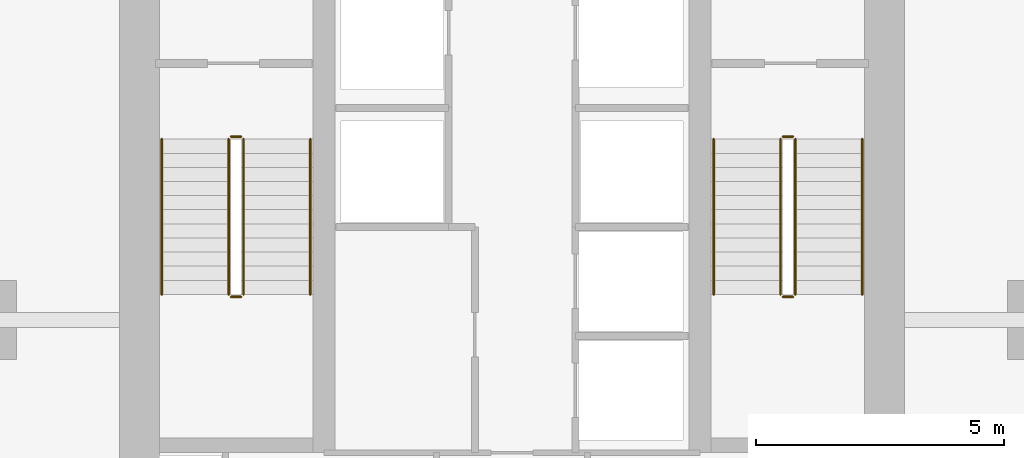
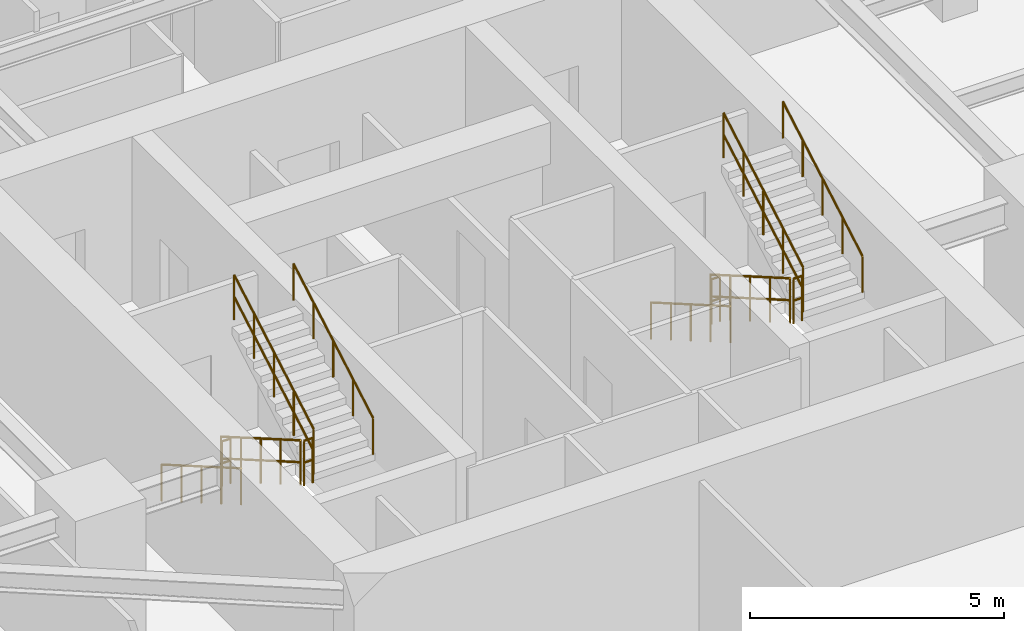
# One storey, part 23 of 24: 12 railings.
"""IFC4 building model written with IfcOpenShell, lengths in metres."""

from ifc_helpers import new_model, si_unit, direction, frame, origin, origin_2d, place, context, subcontext, project, spatial, circle, extrude, material, layer, layer_set, type_object, element, save


model = new_model("IFC4")

# Units and contexts
model_context = context("Model", 3, precision=1e-05, world=origin(), true_north=direction((0.0, 1.0)))
body_context = subcontext(model_context, "Body", "Model", "MODEL_VIEW")
ifc_project = project(units=[si_unit("LENGTHUNIT", "METRE"), si_unit("AREAUNIT", "SQUARE_METRE"), si_unit("VOLUMEUNIT", "CUBIC_METRE"), si_unit("PLANEANGLEUNIT", "RADIAN"), si_unit("MASSUNIT", "GRAM", prefix="KILO")], contexts=[model_context])

# Site, building, storey
site_placement = place(None, origin())
site = spatial("IfcSite", under=ifc_project, at=site_placement, CompositionType="ELEMENT")
building_placement = place(site_placement, origin())
building = spatial("IfcBuilding", under=site, at=building_placement, Name="Krantzveldt Concourse Tower", CompositionType="ELEMENT")
storey_placement = place(building_placement, frame((0.0, 0.0, 234.949951171875)))
storey = spatial("IfcBuildingStorey", under=building, at=storey_placement, Name="L57", CompositionType="ELEMENT", Elevation=234.949951171875)

# Railings
ifc_material = material(Name="Stainless steel 316L", Category="steel")
ifc_layer_1 = layer(ifc_material, 0.06005859375, Name="Stainless steel 316L", Category="steel")
ifc_layer_set_1 = layer_set([ifc_layer_1], Name="Stainless steel 316L (RL-GUARD-1120)")
railing_type_1 = type_object("IfcRailingType", Name="RL-GUARD-1120", PredefinedType="GUARDRAIL", material=ifc_layer_set_1)
railing_1_placement = place(storey_placement, frame((30.280029296875, 19.550048828125, 0.16455078125)))
element("IfcRailing", 1, at=railing_1_placement, inside=storey, type_object=railing_type_1, Name="L57 ST-1 stair guard 1", PredefinedType="GUARDRAIL", context=body_context, shape_type="SweptSolid", body=[
    extrude(circle(Radius=0.02392578125, at=origin_2d()), frame((0.0, 0.0, 1.076171875), z_axis=(0.0, -0.865959834175, 0.500113552702), x_axis=(1.0, 0.0, 0.0)), (0.0, 0.0, 1.0), 3.620361328125),
    extrude(circle(Radius=0.02392578125, at=origin_2d()), frame((0.0, 0.0, 0.550048828125), z_axis=(0.0, -0.865959834175, 0.500113552702), x_axis=(1.0, 0.0, 0.0)), (0.0, 0.0, 1.0), 3.620361328125),
    extrude(circle(Radius=0.02099609375, at=origin_2d()), origin(), (0.0, 0.0, 1.0), 1.052001953125),
    extrude(circle(Radius=0.02099609375, at=origin_2d()), frame((0.0, -0.78369140625, 0.45263671875)), (0.0, 0.0, 1.0), 1.052001953125),
    extrude(circle(Radius=0.02099609375, at=origin_2d()), frame((0.0, -1.5673828125, 0.9052734375)), (0.0, 0.0, 1.0), 1.052001953125),
    extrude(circle(Radius=0.02099609375, at=origin_2d()), frame((0.0, -2.351318359375, 1.35791015625)), (0.0, 0.0, 1.0), 1.052001953125),
    extrude(circle(Radius=0.02099609375, at=origin_2d()), frame((0.0, -3.135009765625, 1.810546875)), (0.0, 0.0, 1.0), 1.052001953125),
])
railing_2_placement = place(storey_placement, frame((30.330078125, 16.364990234375, 1.97509765625)))
element("IfcRailing", 2, at=railing_2_placement, inside=storey, type_object=railing_type_1, Name="L57 ST-1 stair guard 2", PredefinedType="GUARDRAIL", context=body_context, shape_type="SweptSolid", body=[
    extrude(circle(Radius=0.02392578125, at=origin_2d()), frame((0.0, 0.0, 1.076171875), z_axis=(1.0, 0.0, 0.0), x_axis=(0.0, 1.0, 0.0)), (0.0, 0.0, 1.0), 0.199951171875),
    extrude(circle(Radius=0.02392578125, at=origin_2d()), frame((0.0, 0.0, 0.550048828125), z_axis=(1.0, 0.0, 0.0), x_axis=(0.0, 1.0, 0.0)), (0.0, 0.0, 1.0), 0.199951171875),
    extrude(circle(Radius=0.02099609375, at=origin_2d()), origin(), (0.0, 0.0, 1.0), 1.052001953125),
    extrude(circle(Radius=0.02099609375, at=origin_2d()), frame((0.199951171875, 0.0, 0.0)), (0.0, 0.0, 1.0), 1.052001953125),
])
railing_3_placement = place(storey_placement, frame((30.580078125, 16.4150390625, 2.1396484375)))
element("IfcRailing", 3, at=railing_3_placement, inside=storey, type_object=railing_type_1, Name="L57 ST-1 stair guard 3", PredefinedType="GUARDRAIL", context=body_context, shape_type="SweptSolid", body=[
    extrude(circle(Radius=0.02392578125, at=origin_2d()), frame((0.0, 0.0, 1.076171875), z_axis=(0.0, 0.865989039225, 0.500062979975), x_axis=(-1.0, 0.0, 0.0)), (0.0, 0.0, 1.0), 3.6201171875),
    extrude(circle(Radius=0.02392578125, at=origin_2d()), frame((0.0, 0.0, 0.550048828125), z_axis=(0.0, 0.865989039225, 0.500062979975), x_axis=(-1.0, 0.0, 0.0)), (0.0, 0.0, 1.0), 3.6201171875),
    extrude(circle(Radius=0.02099609375, at=origin_2d()), origin(), (0.0, 0.0, 1.0), 1.052001953125),
    extrude(circle(Radius=0.02099609375, at=origin_2d()), frame((0.0, 0.78369140625, 0.45263671875)), (0.0, 0.0, 1.0), 1.052001953125),
    extrude(circle(Radius=0.02099609375, at=origin_2d()), frame((0.0, 1.5673828125, 0.9052734375)), (0.0, 0.0, 1.0), 1.052001953125),
    extrude(circle(Radius=0.02099609375, at=origin_2d()), frame((0.0, 2.351318359375, 1.357666015625)), (0.0, 0.0, 1.0), 1.052001953125),
    extrude(circle(Radius=0.02099609375, at=origin_2d()), frame((0.0, 3.135009765625, 1.810302734375)), (0.0, 0.0, 1.0), 1.052001953125),
])
railing_4_placement = place(storey_placement, frame((30.330078125, 19.60009765625, 0.0)))
element("IfcRailing", 4, at=railing_4_placement, inside=storey, type_object=railing_type_1, Name="L57 ST-1 stair guard 4", PredefinedType="GUARDRAIL", context=body_context, shape_type="SweptSolid", body=[
    extrude(circle(Radius=0.02392578125, at=origin_2d()), frame((0.0, 0.0, 1.076171875), z_axis=(1.0, 0.0, 0.0), x_axis=(0.0, 1.0, 0.0)), (0.0, 0.0, 1.0), 0.199951171875),
    extrude(circle(Radius=0.02392578125, at=origin_2d()), frame((0.0, 0.0, 0.550048828125), z_axis=(1.0, 0.0, 0.0), x_axis=(0.0, 1.0, 0.0)), (0.0, 0.0, 1.0), 0.199951171875),
    extrude(circle(Radius=0.02099609375, at=origin_2d()), origin(), (0.0, 0.0, 1.0), 1.052001953125),
    extrude(circle(Radius=0.02099609375, at=origin_2d()), frame((0.199951171875, 0.0, 0.0)), (0.0, 0.0, 1.0), 1.052001953125),
])
railing_5_placement = place(storey_placement, frame((41.419921875, 19.550048828125, 0.16455078125)))
element("IfcRailing", 5, at=railing_5_placement, inside=storey, type_object=railing_type_1, Name="L57 ST-2 stair guard 1", PredefinedType="GUARDRAIL", context=body_context, shape_type="SweptSolid", body=[
    extrude(circle(Radius=0.02392578125, at=origin_2d()), frame((0.0, 0.0, 1.076171875), z_axis=(0.0, -0.865959834175, 0.500113552702), x_axis=(1.0, 0.0, 0.0)), (0.0, 0.0, 1.0), 3.620361328125),
    extrude(circle(Radius=0.02392578125, at=origin_2d()), frame((0.0, 0.0, 0.550048828125), z_axis=(0.0, -0.865959834175, 0.500113552702), x_axis=(1.0, 0.0, 0.0)), (0.0, 0.0, 1.0), 3.620361328125),
    extrude(circle(Radius=0.02099609375, at=origin_2d()), origin(), (0.0, 0.0, 1.0), 1.052001953125),
    extrude(circle(Radius=0.02099609375, at=origin_2d()), frame((0.0, -0.78369140625, 0.45263671875)), (0.0, 0.0, 1.0), 1.052001953125),
    extrude(circle(Radius=0.02099609375, at=origin_2d()), frame((0.0, -1.5673828125, 0.9052734375)), (0.0, 0.0, 1.0), 1.052001953125),
    extrude(circle(Radius=0.02099609375, at=origin_2d()), frame((0.0, -2.351318359375, 1.35791015625)), (0.0, 0.0, 1.0), 1.052001953125),
    extrude(circle(Radius=0.02099609375, at=origin_2d()), frame((0.0, -3.135009765625, 1.810546875)), (0.0, 0.0, 1.0), 1.052001953125),
])
railing_6_placement = place(storey_placement, frame((41.469970703125, 16.364990234375, 1.97509765625)))
element("IfcRailing", 6, at=railing_6_placement, inside=storey, type_object=railing_type_1, Name="L57 ST-2 stair guard 2", PredefinedType="GUARDRAIL", context=body_context, shape_type="SweptSolid", body=[
    extrude(circle(Radius=0.02392578125, at=origin_2d()), frame((0.0, 0.0, 1.076171875), z_axis=(1.0, 0.0, 0.0), x_axis=(0.0, 1.0, 0.0)), (0.0, 0.0, 1.0), 0.199951171875),
    extrude(circle(Radius=0.02392578125, at=origin_2d()), frame((0.0, 0.0, 0.550048828125), z_axis=(1.0, 0.0, 0.0), x_axis=(0.0, 1.0, 0.0)), (0.0, 0.0, 1.0), 0.199951171875),
    extrude(circle(Radius=0.02099609375, at=origin_2d()), origin(), (0.0, 0.0, 1.0), 1.052001953125),
    extrude(circle(Radius=0.02099609375, at=origin_2d()), frame((0.199951171875, 0.0, 0.0)), (0.0, 0.0, 1.0), 1.052001953125),
])
railing_7_placement = place(storey_placement, frame((41.719970703125, 16.4150390625, 2.1396484375)))
element("IfcRailing", 7, at=railing_7_placement, inside=storey, type_object=railing_type_1, Name="L57 ST-2 stair guard 3", PredefinedType="GUARDRAIL", context=body_context, shape_type="SweptSolid", body=[
    extrude(circle(Radius=0.02392578125, at=origin_2d()), frame((0.0, 0.0, 1.076171875), z_axis=(0.0, 0.865989039225, 0.500062979975), x_axis=(-1.0, 0.0, 0.0)), (0.0, 0.0, 1.0), 3.6201171875),
    extrude(circle(Radius=0.02392578125, at=origin_2d()), frame((0.0, 0.0, 0.550048828125), z_axis=(0.0, 0.865989039225, 0.500062979975), x_axis=(-1.0, 0.0, 0.0)), (0.0, 0.0, 1.0), 3.6201171875),
    extrude(circle(Radius=0.02099609375, at=origin_2d()), origin(), (0.0, 0.0, 1.0), 1.052001953125),
    extrude(circle(Radius=0.02099609375, at=origin_2d()), frame((0.0, 0.78369140625, 0.45263671875)), (0.0, 0.0, 1.0), 1.052001953125),
    extrude(circle(Radius=0.02099609375, at=origin_2d()), frame((0.0, 1.5673828125, 0.9052734375)), (0.0, 0.0, 1.0), 1.052001953125),
    extrude(circle(Radius=0.02099609375, at=origin_2d()), frame((0.0, 2.351318359375, 1.357666015625)), (0.0, 0.0, 1.0), 1.052001953125),
    extrude(circle(Radius=0.02099609375, at=origin_2d()), frame((0.0, 3.135009765625, 1.810302734375)), (0.0, 0.0, 1.0), 1.052001953125),
])
railing_8_placement = place(storey_placement, frame((41.469970703125, 19.60009765625, 0.0)))
element("IfcRailing", 8, at=railing_8_placement, inside=storey, type_object=railing_type_1, Name="L57 ST-2 stair guard 4", PredefinedType="GUARDRAIL", context=body_context, shape_type="SweptSolid", body=[
    extrude(circle(Radius=0.02392578125, at=origin_2d()), frame((0.0, 0.0, 1.076171875), z_axis=(1.0, 0.0, 0.0), x_axis=(0.0, 1.0, 0.0)), (0.0, 0.0, 1.0), 0.199951171875),
    extrude(circle(Radius=0.02392578125, at=origin_2d()), frame((0.0, 0.0, 0.550048828125), z_axis=(1.0, 0.0, 0.0), x_axis=(0.0, 1.0, 0.0)), (0.0, 0.0, 1.0), 0.199951171875),
    extrude(circle(Radius=0.02099609375, at=origin_2d()), origin(), (0.0, 0.0, 1.0), 1.052001953125),
    extrude(circle(Radius=0.02099609375, at=origin_2d()), frame((0.199951171875, 0.0, 0.0)), (0.0, 0.0, 1.0), 1.052001953125),
])
ifc_layer_2 = layer(ifc_material, 0.050048828125, Name="Stainless steel 316L", Category="steel")
ifc_layer_set_2 = layer_set([ifc_layer_2], Name="Stainless steel 316L (RL-HANDRAIL-920)")
railing_type_2 = type_object("IfcRailingType", Name="RL-HANDRAIL-920", PredefinedType="HANDRAIL", material=ifc_layer_set_2)
railing_9_placement = place(storey_placement, frame((28.929931640625, 19.550048828125, 0.16455078125)))
element("IfcRailing", 9, at=railing_9_placement, inside=storey, type_object=railing_type_2, Name="L57 ST-1 stair handrail 1", PredefinedType="HANDRAIL", context=body_context, shape_type="SweptSolid", body=[
    extrude(circle(Radius=0.02392578125, at=origin_2d()), frame((0.0, 0.0, 0.8759765625), z_axis=(0.0, -0.865959834175, 0.500113552702), x_axis=(1.0, 0.0, 0.0)), (0.0, 0.0, 1.0), 3.620361328125),
    extrude(circle(Radius=0.02099609375, at=origin_2d()), origin(), (0.0, 0.0, 1.0), 0.851806640625),
    extrude(circle(Radius=0.02099609375, at=origin_2d()), frame((0.0, -0.78369140625, 0.45263671875)), (0.0, 0.0, 1.0), 0.851806640625),
    extrude(circle(Radius=0.02099609375, at=origin_2d()), frame((0.0, -1.5673828125, 0.9052734375)), (0.0, 0.0, 1.0), 0.851806640625),
    extrude(circle(Radius=0.02099609375, at=origin_2d()), frame((0.0, -2.351318359375, 1.35791015625)), (0.0, 0.0, 1.0), 0.851806640625),
    extrude(circle(Radius=0.02099609375, at=origin_2d()), frame((0.0, -3.135009765625, 1.810546875)), (0.0, 0.0, 1.0), 0.851806640625),
])
railing_10_placement = place(storey_placement, frame((31.929931640625, 16.4150390625, 2.1396484375)))
element("IfcRailing", 10, at=railing_10_placement, inside=storey, type_object=railing_type_2, Name="L57 ST-1 stair handrail 2", PredefinedType="HANDRAIL", context=body_context, shape_type="SweptSolid", body=[
    extrude(circle(Radius=0.02392578125, at=origin_2d()), frame((0.0, 0.0, 0.8759765625), z_axis=(0.0, 0.865989039225, 0.500062979975), x_axis=(-1.0, 0.0, 0.0)), (0.0, 0.0, 1.0), 3.6201171875),
    extrude(circle(Radius=0.02099609375, at=origin_2d()), origin(), (0.0, 0.0, 1.0), 0.851806640625),
    extrude(circle(Radius=0.02099609375, at=origin_2d()), frame((0.0, 0.78369140625, 0.45263671875)), (0.0, 0.0, 1.0), 0.851806640625),
    extrude(circle(Radius=0.02099609375, at=origin_2d()), frame((0.0, 1.5673828125, 0.9052734375)), (0.0, 0.0, 1.0), 0.851806640625),
    extrude(circle(Radius=0.02099609375, at=origin_2d()), frame((0.0, 2.351318359375, 1.357666015625)), (0.0, 0.0, 1.0), 0.851806640625),
    extrude(circle(Radius=0.02099609375, at=origin_2d()), frame((0.0, 3.135009765625, 1.810302734375)), (0.0, 0.0, 1.0), 0.851806640625),
])
railing_11_placement = place(storey_placement, frame((40.070068359375, 19.550048828125, 0.16455078125)))
element("IfcRailing", 11, at=railing_11_placement, inside=storey, type_object=railing_type_2, Name="L57 ST-2 stair handrail 1", PredefinedType="HANDRAIL", context=body_context, shape_type="SweptSolid", body=[
    extrude(circle(Radius=0.02392578125, at=origin_2d()), frame((0.0, 0.0, 0.8759765625), z_axis=(0.0, -0.865959834175, 0.500113552702), x_axis=(1.0, 0.0, 0.0)), (0.0, 0.0, 1.0), 3.620361328125),
    extrude(circle(Radius=0.02099609375, at=origin_2d()), origin(), (0.0, 0.0, 1.0), 0.851806640625),
    extrude(circle(Radius=0.02099609375, at=origin_2d()), frame((0.0, -0.78369140625, 0.45263671875)), (0.0, 0.0, 1.0), 0.851806640625),
    extrude(circle(Radius=0.02099609375, at=origin_2d()), frame((0.0, -1.5673828125, 0.9052734375)), (0.0, 0.0, 1.0), 0.851806640625),
    extrude(circle(Radius=0.02099609375, at=origin_2d()), frame((0.0, -2.351318359375, 1.35791015625)), (0.0, 0.0, 1.0), 0.851806640625),
    extrude(circle(Radius=0.02099609375, at=origin_2d()), frame((0.0, -3.135009765625, 1.810546875)), (0.0, 0.0, 1.0), 0.851806640625),
])
railing_12_placement = place(storey_placement, frame((43.070068359375, 16.4150390625, 2.1396484375)))
element("IfcRailing", 12, at=railing_12_placement, inside=storey, type_object=railing_type_2, Name="L57 ST-2 stair handrail 2", PredefinedType="HANDRAIL", context=body_context, shape_type="SweptSolid", body=[
    extrude(circle(Radius=0.02392578125, at=origin_2d()), frame((0.0, 0.0, 0.8759765625), z_axis=(0.0, 0.865989039225, 0.500062979975), x_axis=(-1.0, 0.0, 0.0)), (0.0, 0.0, 1.0), 3.6201171875),
    extrude(circle(Radius=0.02099609375, at=origin_2d()), origin(), (0.0, 0.0, 1.0), 0.851806640625),
    extrude(circle(Radius=0.02099609375, at=origin_2d()), frame((0.0, 0.78369140625, 0.45263671875)), (0.0, 0.0, 1.0), 0.851806640625),
    extrude(circle(Radius=0.02099609375, at=origin_2d()), frame((0.0, 1.5673828125, 0.9052734375)), (0.0, 0.0, 1.0), 0.851806640625),
    extrude(circle(Radius=0.02099609375, at=origin_2d()), frame((0.0, 2.351318359375, 1.357666015625)), (0.0, 0.0, 1.0), 0.851806640625),
    extrude(circle(Radius=0.02099609375, at=origin_2d()), frame((0.0, 3.135009765625, 1.810302734375)), (0.0, 0.0, 1.0), 0.851806640625),
])

save(model, "model.ifc")
